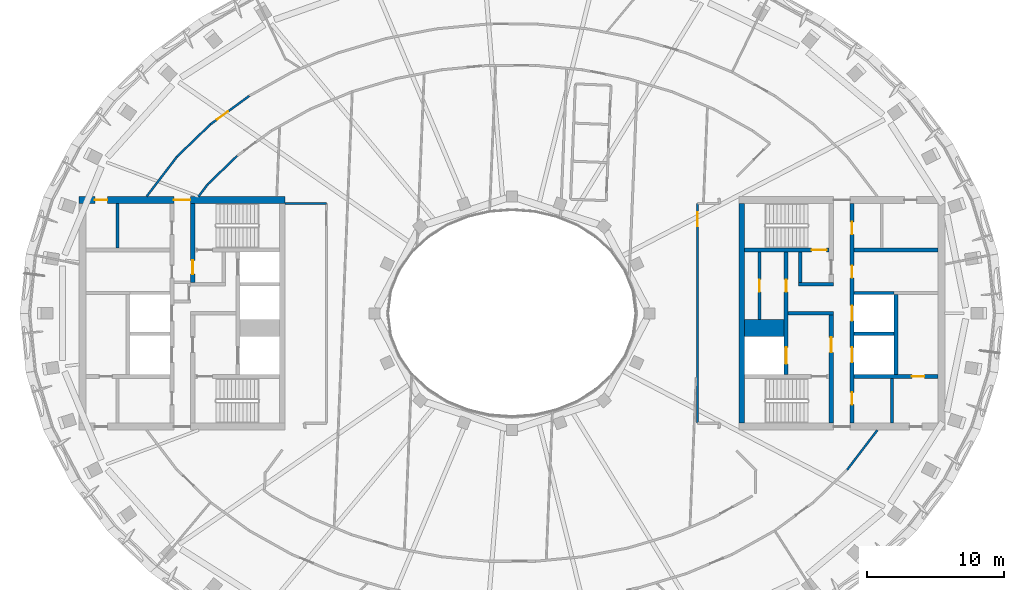
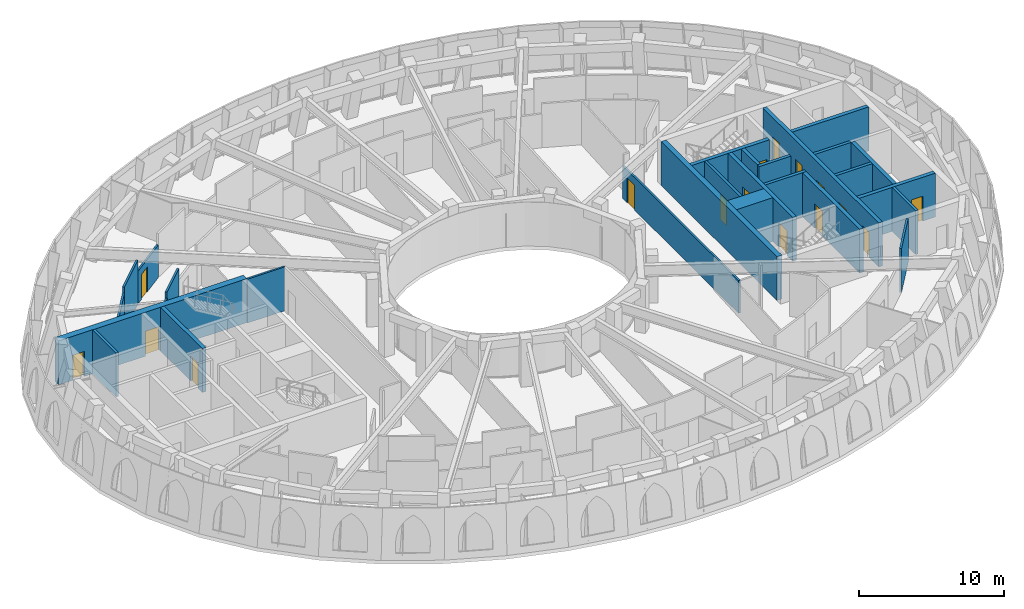
# One storey, part 5 of 14: 27 walls, 16 doors, 16 openings.
"""IFC4 building model written with IfcOpenShell, lengths in metres."""

from ifc_helpers import new_model, si_unit, direction, frame, frame_2d, origin, place, context, subcontext, project, spatial, rectangle, extrude, material, layer, layer_set, type_object, element, fill, save


model = new_model("IFC4")

# Units and contexts
model_context = context("Model", 3, precision=1e-05, world=origin(), true_north=direction((0.0, 1.0)))
body_context = subcontext(model_context, "Body", "Model", "MODEL_VIEW")
ifc_project = project(units=[si_unit("LENGTHUNIT", "METRE"), si_unit("AREAUNIT", "SQUARE_METRE"), si_unit("VOLUMEUNIT", "CUBIC_METRE"), si_unit("PLANEANGLEUNIT", "RADIAN"), si_unit("MASSUNIT", "GRAM", prefix="KILO")], contexts=[model_context])

# Site, building, storey
site_placement = place(None, origin())
site = spatial("IfcSite", under=ifc_project, at=site_placement, CompositionType="ELEMENT")
building_placement = place(site_placement, origin())
building = spatial("IfcBuilding", under=site, at=building_placement, Name="Noorbagh Ring Tower", CompositionType="ELEMENT")
storey_placement = place(building_placement, frame((0.0, 0.0, 335.0)))
storey = spatial("IfcBuildingStorey", under=building, at=storey_placement, Name="L73", CompositionType="ELEMENT", Elevation=335.0)

# Wall
ifc_material_1 = material(Name="Gypsum board on steel studs", Category="steel")
ifc_layer_1 = layer(ifc_material_1, 0.199951171875)
ifc_layer_set_1 = layer_set([ifc_layer_1], Name="Gypsum board on steel studs")
wall_type_1 = type_object("IfcWallType", Name="CORE-PARTITION-200", PredefinedType="PARTITIONING", material=ifc_layer_set_1)
wall_1_placement = place(storey_placement, frame((-28.699951171875, 4.75, 0.0), z_axis=(0.0, 0.0, 1.0), x_axis=(0.0, 1.0, 0.0)))
element("IfcWall", 1, at=wall_1_placement, inside=storey, type_object=wall_type_1, Name="Core partition W", PredefinedType="PARTITIONING", context=body_context, shape_type="SweptSolid", body=[
    extrude(rectangle(XDim=3.25, YDim=0.199951171875, at=frame_2d((1.625, 0.0))), origin(), (0.0, 0.0, 1.0), 3.699951171875),
])

# Wall, opening, door
wall_2_placement = place(storey_placement, frame((18.0, -0.449951171875, 0.0), z_axis=(0.0, 0.0, 1.0), x_axis=(0.0, 1.0, 0.0)))
wall_2 = element("IfcWall", 2, at=wall_2_placement, inside=storey, type_object=wall_type_1, Name="Core partition E", PredefinedType="PARTITIONING", context=body_context, shape_type="SweptSolid", body=[
    extrude(rectangle(XDim=4.89990234375, YDim=0.199951171875, at=frame_2d((2.449951171875, 0.0))), origin(), (0.0, 0.0, 1.0), 3.699951171875),
])
opening_1_placement = place(wall_2_placement, frame((2.0, 0.0, 0.0)))
opening_1 = element("IfcOpeningElement", 3, at=opening_1_placement, cuts=wall_2, Name="Opening L73-CE11", PredefinedType="OPENING", context=body_context, shape_type="SweptSolid", body=[
    extrude(rectangle(XDim=0.89990234375, YDim=2.10009765625, at=frame_2d((0.449951171875, 1.050048828125))), frame((0.0, 0.10986328125, 0.0), z_axis=(0.0, -1.0, 0.0), x_axis=(1.0, 0.0, 0.0)), (0.0, 0.0, 1.0), 0.219970703125),
])
ifc_material_2 = material(Name="Steel door leaf", Category="steel")
door_type_1 = type_object("IfcDoorType", Name="CORE-DOOR-DROOM", OperationType="SINGLE_SWING_LEFT", PredefinedType="DOOR", material=ifc_material_2)
door_1_placement = place(opening_1_placement, origin())
door_1 = element("IfcDoor", 4, at=door_1_placement, inside=storey, type_object=door_type_1, Name="Core room door L73-CE11", OperationType="SINGLE_SWING_RIGHT", OverallHeight=2.10009765625, OverallWidth=0.89990234375, PredefinedType="DOOR", context=body_context, shape_type="SweptSolid", body=[
    extrude(rectangle(XDim=0.89990234375, YDim=2.10009765625, at=frame_2d((0.449951171875, 1.050048828125))), frame((0.0, 0.02490234375, 0.0), z_axis=(0.0, -1.0, 0.0), x_axis=(1.0, 0.0, 0.0)), (0.0, 0.0, 1.0), 0.050048828125),
])
fill(opening_1, door_1)

# Walls
wall_3_placement = place(storey_placement, frame((27.64990234375, -8.0, 0.0), z_axis=(0.0, 0.0, 1.0), x_axis=(0.0, 1.0, 0.0)))
element("IfcWall", 5, at=wall_3_placement, inside=storey, type_object=wall_type_1, Name="Core partition E", PredefinedType="PARTITIONING", context=body_context, shape_type="SweptSolid", body=[
    extrude(rectangle(XDim=3.25, YDim=0.199951171875, at=frame_2d((1.625, 0.0))), origin(), (0.0, 0.0, 1.0), 3.699951171875),
])
ifc_material_3 = material(Name="Concrete C50/60", Category="concrete")
ifc_layer_2 = layer(ifc_material_3, 1.25)
ifc_layer_set_2 = layer_set([ifc_layer_2], Name="Concrete C50/60")
wall_type_2 = type_object("IfcWallType", Name="CORE-WALL-1250-C50-60-EI120", PredefinedType="SHEAR", material=ifc_layer_set_2)
wall_4_placement = place(storey_placement, frame((16.89990234375, -1.074951171875, 0.0), z_axis=(0.0, 0.0, 1.0), x_axis=(1.0, 0.0, 0.0)))
element("IfcWall", 6, at=wall_4_placement, inside=storey, type_object=wall_type_2, Name="Core wall E", PredefinedType="SHEAR", context=body_context, shape_type="SweptSolid", body=[
    extrude(rectangle(XDim=2.900146484375, YDim=1.25, at=frame_2d((1.4501953125, 0.0))), origin(), (0.0, 0.0, 1.0), 3.699951171875),
])
ifc_material_4 = material(Name="Concrete C50/60", Category="concrete")
ifc_layer_3 = layer(ifc_material_4, 0.25)
ifc_layer_set_3 = layer_set([ifc_layer_3], Name="Concrete C50/60")
wall_type_3 = type_object("IfcWallType", Name="CORE-WALL-250-C50-60-EI120", PredefinedType="SHEAR", material=ifc_layer_set_3)
for number, where, z_axis, x_axis, name in (
    (7, (24.89990234375, -1.47509765625, 0.0), (0.0, 0.0, 1.0), (1.0, 0.0, 0.0), "Core wall E"),
    (8, (24.89990234375, 1.47509765625, 0.0), (0.0, 0.0, 1.0), (1.0, 0.0, 0.0), "Core wall E"),
):
    element("IfcWall", number, at=place(storey_placement, frame(where, z_axis=z_axis, x_axis=x_axis)), inside=storey, type_object=wall_type_3, Name=name, PredefinedType="SHEAR", context=body_context, shape_type="SweptSolid", body=[
        extrude(rectangle(XDim=2.900146484375, YDim=0.25, at=frame_2d((1.4501953125, 0.0))), origin(), (0.0, 0.0, 1.0), 3.699951171875),
    ])
ifc_material_5 = material(Name="Concrete C50/60", Category="concrete")
ifc_layer_4 = layer(ifc_material_5, 0.25)
ifc_layer_set_4 = layer_set([ifc_layer_4], Name="Concrete C50/60")
wall_type_4 = type_object("IfcWallType", Name="CORE-WALL-250-C50-60-EI240", PredefinedType="SHEAR", material=ifc_layer_set_4)
wall_5_placement = place(storey_placement, frame((20.10009765625, 0.0, 0.0), z_axis=(0.0, 0.0, 1.0), x_axis=(1.0, 0.0, 0.0)))
element("IfcWall", 9, at=wall_5_placement, inside=storey, type_object=wall_type_4, Name="Core wall E", PredefinedType="SHEAR", context=body_context, shape_type="SweptSolid", body=[
    extrude(rectangle(XDim=3.27978515625, YDim=0.25, at=frame_2d((1.639892578125, 0.0))), origin(), (0.0, 0.0, 1.0), 3.699951171875),
])
wall_6_placement = place(storey_placement, frame((20.85009765625, 2.125, 0.0), z_axis=(0.0, 0.0, 1.0), x_axis=(1.0, 0.0, 0.0)))
element("IfcWall", 10, at=wall_6_placement, inside=storey, type_object=wall_type_4, Name="Core wall E", PredefinedType="SHEAR", context=body_context, shape_type="SweptSolid", body=[
    extrude(rectangle(XDim=2.52978515625, YDim=0.25, at=frame_2d((1.264892578125, 0.0))), origin(), (0.0, 0.0, 1.0), 3.699951171875),
])
wall_7_placement = place(storey_placement, frame((20.97509765625, 2.25, 0.0), z_axis=(0.0, 0.0, 1.0), x_axis=(0.0, 1.0, 0.0)))
element("IfcWall", 11, at=wall_7_placement, inside=storey, type_object=wall_type_4, Name="Core wall E", PredefinedType="SHEAR", context=body_context, shape_type="SweptSolid", body=[
    extrude(rectangle(XDim=2.199951171875, YDim=0.25, at=frame_2d((1.10009765625, 0.0))), origin(), (0.0, 0.0, 1.0), 3.699951171875),
])
ifc_material_6 = material(Name="Concrete C50/60", Category="concrete")
ifc_layer_5 = layer(ifc_material_6, 0.300048828125)
ifc_layer_set_5 = layer_set([ifc_layer_5], Name="Concrete C50/60")
wall_type_5 = type_object("IfcWallType", Name="CORE-WALL-300-C50-60-EI120", PredefinedType="SHEAR", material=ifc_layer_set_5)
wall_8_placement = place(storey_placement, frame((27.949951171875, -4.449951171875, 0.0), z_axis=(0.0, 0.0, 1.0), x_axis=(0.0, 1.0, 0.0)))
element("IfcWall", 12, at=wall_8_placement, inside=storey, type_object=wall_type_5, Name="Core wall E", PredefinedType="SHEAR", context=body_context, shape_type="SweptSolid", body=[
    extrude(rectangle(XDim=5.800048828125, YDim=0.300048828125, at=frame_2d((2.89990234375, 0.0))), origin(), (0.0, 0.0, 1.0), 3.699951171875),
])

# Wall, openings, doors
wall_9_placement = place(storey_placement, frame((19.949951171875, -4.449951171875, 0.0), z_axis=(0.0, 0.0, 1.0), x_axis=(0.0, 1.0, 0.0)))
wall_9 = element("IfcWall", 13, at=wall_9_placement, inside=storey, type_object=wall_type_5, Name="Core wall E", PredefinedType="SHEAR", context=body_context, shape_type="SweptSolid", body=[
    extrude(rectangle(XDim=8.89990234375, YDim=0.300048828125, at=frame_2d((4.449951171875, 0.0))), origin(), (0.0, 0.0, 1.0), 3.699951171875),
])
opening_2_placement = place(wall_9_placement, frame((0.77490234375, 0.0, 0.0)))
opening_2 = element("IfcOpeningElement", 14, at=opening_2_placement, cuts=wall_9, Name="Opening L73-CE01", PredefinedType="OPENING", context=body_context, shape_type="SweptSolid", body=[
    extrude(rectangle(XDim=1.199951171875, YDim=2.10009765625, at=frame_2d((0.60009765625, 1.050048828125))), frame((0.0, 0.16015625, 0.0), z_axis=(0.0, -1.0, 0.0), x_axis=(1.0, 0.0, 0.0)), (0.0, 0.0, 1.0), 0.320068359375),
])
opening_3_placement = place(wall_9_placement, frame((6.0, 0.0, 0.0)))
opening_3 = element("IfcOpeningElement", 15, at=opening_3_placement, cuts=wall_9, Name="Opening L73-CE10", PredefinedType="OPENING", context=body_context, shape_type="SweptSolid", body=[
    extrude(rectangle(XDim=0.89990234375, YDim=2.10009765625, at=frame_2d((0.449951171875, 1.050048828125))), frame((0.0, 0.16015625, 0.0), z_axis=(0.0, -1.0, 0.0), x_axis=(1.0, 0.0, 0.0)), (0.0, 0.0, 1.0), 0.320068359375),
])
door_2_placement = place(opening_3_placement, origin())
door_2 = element("IfcDoor", 16, at=door_2_placement, inside=storey, type_object=door_type_1, Name="Core room door L73-CE10", OperationType="SINGLE_SWING_RIGHT", OverallHeight=2.10009765625, OverallWidth=0.89990234375, PredefinedType="DOOR", context=body_context, shape_type="SweptSolid", body=[
    extrude(rectangle(XDim=0.89990234375, YDim=2.10009765625, at=frame_2d((0.449951171875, 1.050048828125))), frame((0.0, 0.02490234375, 0.0), z_axis=(0.0, -1.0, 0.0), x_axis=(1.0, 0.0, 0.0)), (0.0, 0.0, 1.0), 0.050048828125),
])
fill(opening_3, door_2)
ifc_material_7 = material(Name="Steel door leaf", Category="steel")
door_type_2 = type_object("IfcDoorType", Name="CORE-DOOR-LDW", OperationType="DOUBLE_DOOR_SLIDING", PredefinedType="DOOR", material=ifc_material_7)
door_3_placement = place(opening_2_placement, origin())
door_3 = element("IfcDoor", 17, at=door_3_placement, inside=storey, type_object=door_type_2, Name="Landing door FF2 L73-CE01", OperationType="DOUBLE_DOOR_SLIDING", OverallHeight=2.10009765625, OverallWidth=1.199951171875, PredefinedType="DOOR", context=body_context, shape_type="SweptSolid", body=[
    extrude(rectangle(XDim=1.199951171875, YDim=2.10009765625, at=frame_2d((0.60009765625, 1.050048828125))), frame((0.0, 0.02490234375, 0.0), z_axis=(0.0, -1.0, 0.0), x_axis=(1.0, 0.0, 0.0)), (0.0, 0.0, 1.0), 0.050048828125),
])
fill(opening_2, door_3)

wall_10_placement = place(storey_placement, frame((24.75, -8.0, 0.0), z_axis=(0.0, 0.0, 1.0), x_axis=(0.0, 1.0, 0.0)))
wall_10 = element("IfcWall", 18, at=wall_10_placement, inside=storey, type_object=wall_type_5, Name="Core wall E", PredefinedType="SHEAR", context=body_context, shape_type="SweptSolid", body=[
    extrude(rectangle(XDim=16.0, YDim=0.300048828125, at=frame_2d((8.0, 0.0))), origin(), (0.0, 0.0, 1.0), 3.699951171875),
])
opening_4_placement = place(wall_10_placement, frame((4.425048828125, 0.0, 0.0)))
opening_4 = element("IfcOpeningElement", 19, at=opening_4_placement, cuts=wall_10, Name="Opening L73-CE02", PredefinedType="OPENING", context=body_context, shape_type="SweptSolid", body=[
    extrude(rectangle(XDim=1.10009765625, YDim=2.10009765625, at=frame_2d((0.550048828125, 1.050048828125))), frame((0.0, 0.16015625, 0.0), z_axis=(0.0, -1.0, 0.0), x_axis=(1.0, 0.0, 0.0)), (0.0, 0.0, 1.0), 0.320068359375),
])
opening_5_placement = place(wall_10_placement, frame((7.449951171875, 0.0, 0.0)))
opening_5 = element("IfcOpeningElement", 20, at=opening_5_placement, cuts=wall_10, Name="Opening L73-CE03", PredefinedType="OPENING", context=body_context, shape_type="SweptSolid", body=[
    extrude(rectangle(XDim=1.10009765625, YDim=2.10009765625, at=frame_2d((0.550048828125, 1.050048828125))), frame((0.0, 0.16015625, 0.0), z_axis=(0.0, -1.0, 0.0), x_axis=(1.0, 0.0, 0.0)), (0.0, 0.0, 1.0), 0.320068359375),
])
opening_6_placement = place(wall_10_placement, frame((10.574951171875, 0.0, 0.0)))
opening_6 = element("IfcOpeningElement", 21, at=opening_6_placement, cuts=wall_10, Name="Opening L73-CE12", PredefinedType="OPENING", context=body_context, shape_type="SweptSolid", body=[
    extrude(rectangle(XDim=0.89990234375, YDim=2.10009765625, at=frame_2d((0.449951171875, 1.050048828125))), frame((0.0, 0.16015625, 0.0), z_axis=(0.0, -1.0, 0.0), x_axis=(1.0, 0.0, 0.0)), (0.0, 0.0, 1.0), 0.320068359375),
])
opening_7_placement = place(wall_10_placement, frame((13.75, 0.0, 0.0)))
opening_7 = element("IfcOpeningElement", 22, at=opening_7_placement, cuts=wall_10, Name="Opening L73-CE13", PredefinedType="OPENING", context=body_context, shape_type="SweptSolid", body=[
    extrude(rectangle(XDim=0.89990234375, YDim=2.10009765625, at=frame_2d((0.449951171875, 1.050048828125))), frame((0.0, 0.16015625, 0.0), z_axis=(0.0, -1.0, 0.0), x_axis=(1.0, 0.0, 0.0)), (0.0, 0.0, 1.0), 0.320068359375),
])
opening_8_placement = place(wall_10_placement, frame((1.35009765625, 0.0, 0.0)))
opening_8 = element("IfcOpeningElement", 23, at=opening_8_placement, cuts=wall_10, Name="Opening L73-CE15", PredefinedType="OPENING", context=body_context, shape_type="SweptSolid", body=[
    extrude(rectangle(XDim=0.89990234375, YDim=2.10009765625, at=frame_2d((0.449951171875, 1.050048828125))), frame((0.0, 0.16015625, 0.0), z_axis=(0.0, -1.0, 0.0), x_axis=(1.0, 0.0, 0.0)), (0.0, 0.0, 1.0), 0.320068359375),
])
door_4_placement = place(opening_6_placement, origin())
door_4 = element("IfcDoor", 24, at=door_4_placement, inside=storey, type_object=door_type_1, Name="Core room door L73-CE12", OperationType="SINGLE_SWING_LEFT", OverallHeight=2.10009765625, OverallWidth=0.89990234375, PredefinedType="DOOR", context=body_context, shape_type="SweptSolid", body=[
    extrude(rectangle(XDim=0.89990234375, YDim=2.10009765625, at=frame_2d((0.449951171875, 1.050048828125))), frame((0.0, 0.02490234375, 0.0), z_axis=(0.0, -1.0, 0.0), x_axis=(1.0, 0.0, 0.0)), (0.0, 0.0, 1.0), 0.050048828125),
])
fill(opening_6, door_4)
door_5_placement = place(opening_7_placement, origin())
door_5 = element("IfcDoor", 25, at=door_5_placement, inside=storey, type_object=door_type_1, Name="Core room door L73-CE13", OperationType="SINGLE_SWING_LEFT", OverallHeight=2.10009765625, OverallWidth=0.89990234375, PredefinedType="DOOR", context=body_context, shape_type="SweptSolid", body=[
    extrude(rectangle(XDim=0.89990234375, YDim=2.10009765625, at=frame_2d((0.449951171875, 1.050048828125))), frame((0.0, 0.02490234375, 0.0), z_axis=(0.0, -1.0, 0.0), x_axis=(1.0, 0.0, 0.0)), (0.0, 0.0, 1.0), 0.050048828125),
])
fill(opening_7, door_5)
door_6_placement = place(opening_8_placement, origin())
door_6 = element("IfcDoor", 26, at=door_6_placement, inside=storey, type_object=door_type_1, Name="Core room door L73-CE15", OperationType="SINGLE_SWING_RIGHT", OverallHeight=2.10009765625, OverallWidth=0.89990234375, PredefinedType="DOOR", context=body_context, shape_type="SweptSolid", body=[
    extrude(rectangle(XDim=0.89990234375, YDim=2.10009765625, at=frame_2d((0.449951171875, 1.050048828125))), frame((0.0, 0.02490234375, 0.0), z_axis=(0.0, -1.0, 0.0), x_axis=(1.0, 0.0, 0.0)), (0.0, 0.0, 1.0), 0.050048828125),
])
fill(opening_8, door_6)
ifc_material_8 = material(Name="Steel door leaf", Category="steel")
door_type_3 = type_object("IfcDoorType", Name="CORE-DOOR-LD", OperationType="DOUBLE_DOOR_SLIDING", PredefinedType="DOOR", material=ifc_material_8)
door_7_placement = place(opening_4_placement, origin())
door_7 = element("IfcDoor", 27, at=door_7_placement, inside=storey, type_object=door_type_3, Name="Landing door HR12 L73-CE02", OperationType="DOUBLE_DOOR_SLIDING", OverallHeight=2.10009765625, OverallWidth=1.10009765625, PredefinedType="DOOR", context=body_context, shape_type="SweptSolid", body=[
    extrude(rectangle(XDim=1.10009765625, YDim=2.10009765625, at=frame_2d((0.550048828125, 1.050048828125))), frame((0.0, 0.02490234375, 0.0), z_axis=(0.0, -1.0, 0.0), x_axis=(1.0, 0.0, 0.0)), (0.0, 0.0, 1.0), 0.050048828125),
])
fill(opening_4, door_7)
door_8_placement = place(opening_5_placement, origin())
door_8 = element("IfcDoor", 28, at=door_8_placement, inside=storey, type_object=door_type_3, Name="Landing door HR13 L73-CE03", OperationType="DOUBLE_DOOR_SLIDING", OverallHeight=2.10009765625, OverallWidth=1.10009765625, PredefinedType="DOOR", context=body_context, shape_type="SweptSolid", body=[
    extrude(rectangle(XDim=1.10009765625, YDim=2.10009765625, at=frame_2d((0.550048828125, 1.050048828125))), frame((0.0, 0.02490234375, 0.0), z_axis=(0.0, -1.0, 0.0), x_axis=(1.0, 0.0, 0.0)), (0.0, 0.0, 1.0), 0.050048828125),
])
fill(opening_5, door_8)

# Wall, opening, door
ifc_material_9 = material(Name="Concrete C50/60", Category="concrete")
ifc_layer_6 = layer(ifc_material_9, 0.300048828125)
ifc_layer_set_6 = layer_set([ifc_layer_6], Name="Concrete C50/60")
wall_type_6 = type_object("IfcWallType", Name="CORE-WALL-300-C50-60-EI240", PredefinedType="SHEAR", material=ifc_layer_set_6)
wall_11_placement = place(storey_placement, frame((-23.22998046875, 2.25, 0.0), z_axis=(0.0, 0.0, 1.0), x_axis=(0.0, 1.0, 0.0)))
wall_11 = element("IfcWall", 29, at=wall_11_placement, inside=storey, type_object=wall_type_6, Name="Core wall W", PredefinedType="SHEAR", context=body_context, shape_type="SweptSolid", body=[
    extrude(rectangle(XDim=5.75, YDim=0.300048828125, at=frame_2d((2.875, 0.0))), origin(), (0.0, 0.0, 1.0), 3.699951171875),
])
opening_9_placement = place(wall_11_placement, frame((0.60009765625, 0.0, 0.0)))
opening_9 = element("IfcOpeningElement", 30, at=opening_9_placement, cuts=wall_11, Name="Opening L73-CW08", PredefinedType="OPENING", context=body_context, shape_type="SweptSolid", body=[
    extrude(rectangle(XDim=1.0, YDim=2.10009765625, at=frame_2d((0.5, 1.050048828125))), frame((0.0, 0.16015625, 0.0), z_axis=(0.0, -1.0, 0.0), x_axis=(1.0, 0.0, 0.0)), (0.0, 0.0, 1.0), 0.320068359375),
])
ifc_material_10 = material(Name="Steel door leaf", Category="steel")
door_type_4 = type_object("IfcDoorType", Name="CORE-DOOR-DVEST", OperationType="SINGLE_SWING_LEFT", PredefinedType="DOOR", material=ifc_material_10)
door_9_placement = place(opening_9_placement, origin())
door_9 = element("IfcDoor", 31, at=door_9_placement, inside=storey, type_object=door_type_4, Name="Stair vestibule door L73-CW08", OperationType="SINGLE_SWING_LEFT", OverallHeight=2.10009765625, OverallWidth=1.0, PredefinedType="DOOR", context=body_context, shape_type="SweptSolid", body=[
    extrude(rectangle(XDim=1.0, YDim=2.10009765625, at=frame_2d((0.5, 1.050048828125))), frame((0.0, 0.02490234375, 0.0), z_axis=(0.0, -1.0, 0.0), x_axis=(1.0, 0.0, 0.0)), (0.0, 0.0, 1.0), 0.050048828125),
])
fill(opening_9, door_9)

# Wall
wall_12_placement = place(storey_placement, frame((24.89990234375, 4.60009765625, 0.0), z_axis=(0.0, 0.0, 1.0), x_axis=(1.0, 0.0, 0.0)))
element("IfcWall", 32, at=wall_12_placement, inside=storey, type_object=wall_type_6, Name="Core wall E", PredefinedType="SHEAR", context=body_context, shape_type="SweptSolid", body=[
    extrude(rectangle(XDim=6.10009765625, YDim=0.300048828125, at=frame_2d((3.050048828125, 0.0))), origin(), (0.0, 0.0, 1.0), 3.699951171875),
])

# Wall, opening, door
wall_13_placement = place(storey_placement, frame((24.89990234375, -4.60009765625, 0.0), z_axis=(0.0, 0.0, 1.0), x_axis=(1.0, 0.0, 0.0)))
wall_13 = element("IfcWall", 33, at=wall_13_placement, inside=storey, type_object=wall_type_6, Name="Core wall E", PredefinedType="SHEAR", context=body_context, shape_type="SweptSolid", body=[
    extrude(rectangle(XDim=6.10009765625, YDim=0.300048828125, at=frame_2d((3.050048828125, 0.0))), origin(), (0.0, 0.0, 1.0), 3.699951171875),
])
opening_10_placement = place(wall_13_placement, frame((4.199951171875, 0.0, 0.0)))
opening_10 = element("IfcOpeningElement", 34, at=opening_10_placement, cuts=wall_13, Name="Opening L73-CE17", PredefinedType="OPENING", context=body_context, shape_type="SweptSolid", body=[
    extrude(rectangle(XDim=0.89990234375, YDim=2.10009765625, at=frame_2d((0.449951171875, 1.050048828125))), frame((0.0, 0.16015625, 0.0), z_axis=(0.0, -1.0, 0.0), x_axis=(1.0, 0.0, 0.0)), (0.0, 0.0, 1.0), 0.320068359375),
])
door_10_placement = place(opening_10_placement, origin())
door_10 = element("IfcDoor", 35, at=door_10_placement, inside=storey, type_object=door_type_1, Name="Core room door L73-CE17", OperationType="SINGLE_SWING_LEFT", OverallHeight=2.10009765625, OverallWidth=0.89990234375, PredefinedType="DOOR", context=body_context, shape_type="SweptSolid", body=[
    extrude(rectangle(XDim=0.89990234375, YDim=2.10009765625, at=frame_2d((0.449951171875, 1.050048828125))), frame((0.0, 0.02490234375, 0.0), z_axis=(0.0, -1.0, 0.0), x_axis=(1.0, 0.0, 0.0)), (0.0, 0.0, 1.0), 0.050048828125),
])
fill(opening_10, door_10)

wall_14_placement = place(storey_placement, frame((23.22998046875, -8.0, 0.0), z_axis=(0.0, 0.0, 1.0), x_axis=(0.0, 1.0, 0.0)))
wall_14 = element("IfcWall", 36, at=wall_14_placement, inside=storey, type_object=wall_type_6, Name="Core wall E", PredefinedType="SHEAR", context=body_context, shape_type="SweptSolid", body=[
    extrude(rectangle(XDim=7.875, YDim=0.300048828125, at=frame_2d((3.9375, 0.0))), origin(), (0.0, 0.0, 1.0), 3.699951171875),
])
opening_11_placement = place(wall_14_placement, frame((5.14990234375, 0.0, 0.0)))
opening_11 = element("IfcOpeningElement", 37, at=opening_11_placement, cuts=wall_14, Name="Opening L73-CE06", PredefinedType="OPENING", context=body_context, shape_type="SweptSolid", body=[
    extrude(rectangle(XDim=1.10009765625, YDim=2.10009765625, at=frame_2d((0.550048828125, 1.050048828125))), frame((0.0, 0.16015625, 0.0), z_axis=(0.0, -1.0, 0.0), x_axis=(1.0, 0.0, 0.0)), (0.0, 0.0, 1.0), 0.320068359375),
])
ifc_material_11 = material(Name="Steel door leaf", Category="steel")
door_type_5 = type_object("IfcDoorType", Name="CORE-DOOR-DFF", OperationType="SINGLE_SWING_LEFT", PredefinedType="DOOR", material=ifc_material_11)
door_11_placement = place(opening_11_placement, origin())
door_11 = element("IfcDoor", 38, at=door_11_placement, inside=storey, type_object=door_type_5, Name="Firefighting lobby door L73-CE06", OperationType="SINGLE_SWING_RIGHT", OverallHeight=2.10009765625, OverallWidth=1.10009765625, PredefinedType="DOOR", context=body_context, shape_type="SweptSolid", body=[
    extrude(rectangle(XDim=1.10009765625, YDim=2.10009765625, at=frame_2d((0.550048828125, 1.050048828125))), frame((0.0, 0.02490234375, 0.0), z_axis=(0.0, -1.0, 0.0), x_axis=(1.0, 0.0, 0.0)), (0.0, 0.0, 1.0), 0.050048828125),
])
fill(opening_11, door_11)

wall_15_placement = place(storey_placement, frame((16.89990234375, 4.60009765625, 0.0), z_axis=(0.0, 0.0, 1.0), x_axis=(1.0, 0.0, 0.0)))
wall_15 = element("IfcWall", 39, at=wall_15_placement, inside=storey, type_object=wall_type_6, Name="Core wall E", PredefinedType="SHEAR", context=body_context, shape_type="SweptSolid", body=[
    extrude(rectangle(XDim=6.18017578125, YDim=0.300048828125, at=frame_2d((3.090087890625, 0.0))), origin(), (0.0, 0.0, 1.0), 3.699951171875),
])
opening_12_placement = place(wall_15_placement, frame((4.89990234375, 0.0, 0.0)))
opening_12 = element("IfcOpeningElement", 40, at=opening_12_placement, cuts=wall_15, Name="Opening L73-CE04", PredefinedType="OPENING", context=body_context, shape_type="SweptSolid", body=[
    extrude(rectangle(XDim=1.10009765625, YDim=2.10009765625, at=frame_2d((0.550048828125, 1.050048828125))), frame((0.0, 0.16015625, 0.0), z_axis=(0.0, -1.0, 0.0), x_axis=(1.0, 0.0, 0.0)), (0.0, 0.0, 1.0), 0.320068359375),
])
ifc_material_12 = material(Name="Steel door leaf", Category="steel")
door_type_6 = type_object("IfcDoorType", Name="CORE-DOOR-DSTAIR", OperationType="SINGLE_SWING_LEFT", PredefinedType="DOOR", material=ifc_material_12)
door_12_placement = place(opening_12_placement, origin())
door_12 = element("IfcDoor", 41, at=door_12_placement, inside=storey, type_object=door_type_6, Name="Stair door ST3 L73-CE04", OperationType="SINGLE_SWING_LEFT", OverallHeight=2.10009765625, OverallWidth=1.10009765625, PredefinedType="DOOR", context=body_context, shape_type="SweptSolid", body=[
    extrude(rectangle(XDim=1.10009765625, YDim=2.10009765625, at=frame_2d((0.550048828125, 1.050048828125))), frame((0.0, 0.02490234375, 0.0), z_axis=(0.0, -1.0, 0.0), x_axis=(1.0, 0.0, 0.0)), (0.0, 0.0, 1.0), 0.050048828125),
])
fill(opening_12, door_12)

# Wall
ifc_material_13 = material(Name="Concrete C50/60", Category="concrete")
ifc_layer_7 = layer(ifc_material_13, 0.39990234375)
ifc_layer_set_7 = layer_set([ifc_layer_7], Name="Concrete C50/60")
wall_type_7 = type_object("IfcWallType", Name="CORE-WALL-400-C50-60-EI240", PredefinedType="SHEAR", material=ifc_layer_set_7)
wall_16_placement = place(storey_placement, frame((16.699951171875, -8.0, 0.0), z_axis=(0.0, 0.0, 1.0), x_axis=(0.0, 1.0, 0.0)))
element("IfcWall", 42, at=wall_16_placement, inside=storey, type_object=wall_type_7, Name="Core wall E", PredefinedType="SHEAR", context=body_context, shape_type="SweptSolid", body=[
    extrude(rectangle(XDim=16.0, YDim=0.39990234375, at=frame_2d((8.0, 0.0))), origin(), (0.0, 0.0, 1.0), 3.699951171875),
])

# Wall, openings, doors
ifc_material_14 = material(Name="Concrete C50/60", Category="concrete")
ifc_layer_8 = layer(ifc_material_14, 0.5)
ifc_layer_set_8 = layer_set([ifc_layer_8], Name="Concrete C50/60")
wall_type_8 = type_object("IfcWallType", Name="CORE-WALL-500-C50-60-EI240", PredefinedType="SHEAR", material=ifc_layer_set_8)
wall_17_placement = place(storey_placement, frame((-16.5, 8.25, 0.0), z_axis=(0.0, 0.0, 1.0), x_axis=(-1.0, 0.0, 0.0)))
wall_17 = element("IfcWall", 43, at=wall_17_placement, inside=storey, type_object=wall_type_8, Name="Core wall W", PredefinedType="SHEAR", context=body_context, shape_type="SweptSolid", body=[
    extrude(rectangle(XDim=15.0, YDim=0.5, at=frame_2d((7.5, 0.0))), origin(), (0.0, 0.0, 1.0), 3.699951171875),
])
opening_13_placement = place(wall_17_placement, frame((6.89990234375, 0.0, 0.0)))
opening_13 = element("IfcOpeningElement", 44, at=opening_13_placement, cuts=wall_17, Name="Opening L73-CW09", PredefinedType="OPENING", context=body_context, shape_type="SweptSolid", body=[
    extrude(rectangle(XDim=1.199951171875, YDim=2.10009765625, at=frame_2d((0.60009765625, 1.050048828125))), frame((0.0, 0.260009765625, 0.0), z_axis=(0.0, -1.0, 0.0), x_axis=(1.0, 0.0, 0.0)), (0.0, 0.0, 1.0), 0.52001953125),
])
opening_14_placement = place(wall_17_placement, frame((12.949951171875, 0.0, 0.0)))
opening_14 = element("IfcOpeningElement", 45, at=opening_14_placement, cuts=wall_17, Name="Opening L73-CW13", PredefinedType="OPENING", context=body_context, shape_type="SweptSolid", body=[
    extrude(rectangle(XDim=0.89990234375, YDim=2.10009765625, at=frame_2d((0.449951171875, 1.050048828125))), frame((0.0, 0.260009765625, 0.0), z_axis=(0.0, -1.0, 0.0), x_axis=(1.0, 0.0, 0.0)), (0.0, 0.0, 1.0), 0.52001953125),
])
door_13_placement = place(opening_14_placement, origin())
door_13 = element("IfcDoor", 46, at=door_13_placement, inside=storey, type_object=door_type_1, Name="Core room door L73-CW13", OperationType="SINGLE_SWING_RIGHT", OverallHeight=2.10009765625, OverallWidth=0.89990234375, PredefinedType="DOOR", context=body_context, shape_type="SweptSolid", body=[
    extrude(rectangle(XDim=0.89990234375, YDim=2.10009765625, at=frame_2d((0.449951171875, 1.050048828125))), frame((0.0, 0.02490234375, 0.0), z_axis=(0.0, -1.0, 0.0), x_axis=(1.0, 0.0, 0.0)), (0.0, 0.0, 1.0), 0.050048828125),
])
fill(opening_14, door_13)
ifc_material_15 = material(Name="Steel door leaf", Category="steel")
door_type_7 = type_object("IfcDoorType", Name="CORE-DOOR-PORT", OperationType="DOUBLE_DOOR_DOUBLE_SWING", PredefinedType="DOOR", material=ifc_material_15)
door_14_placement = place(opening_13_placement, origin())
door_14 = element("IfcDoor", 47, at=door_14_placement, inside=storey, type_object=door_type_7, Name="Core entrance door L73-CW09", OperationType="DOUBLE_DOOR_DOUBLE_SWING", OverallHeight=2.10009765625, OverallWidth=1.199951171875, PredefinedType="DOOR", context=body_context, shape_type="SweptSolid", body=[
    extrude(rectangle(XDim=1.199951171875, YDim=2.10009765625, at=frame_2d((0.60009765625, 1.050048828125))), frame((0.0, 0.02490234375, 0.0), z_axis=(0.0, -1.0, 0.0), x_axis=(1.0, 0.0, 0.0)), (0.0, 0.0, 1.0), 0.050048828125),
])
fill(opening_13, door_14)

# Walls
ifc_material_16 = material(Name="Gypsum board on steel studs", Category="steel")
ifc_layer_9 = layer(ifc_material_16, 0.14990234375)
ifc_layer_set_9 = layer_set([ifc_layer_9], Name="Gypsum board on steel studs")
wall_type_9 = type_object("IfcWallType", Name="CORRIDOR PARTITION 150 EI 30", PredefinedType="PARTITIONING", material=ifc_layer_set_9)
wall_18_placement = place(storey_placement, frame((-26.5869140625, 8.5, 0.0), z_axis=(0.0, 0.0, 1.0), x_axis=(0.606510838275, 0.795075218489, 0.0)))
element("IfcWall", 48, at=wall_18_placement, inside=storey, type_object=wall_type_9, Name="L73/wall/P03", PredefinedType="PARTITIONING", context=body_context, shape_type="SweptSolid", body=[
    extrude(rectangle(XDim=3.6484375, YDim=0.14990234375, at=frame_2d((1.82421875, 0.0))), origin(), (0.0, 0.0, 1.0), 3.199951171875),
])
wall_19_placement = place(storey_placement, frame((-24.3740234375, 11.40087890625, 0.0), z_axis=(0.0, 0.0, 1.0), x_axis=(0.719511758349, 0.694480258609, 0.0)))
element("IfcWall", 49, at=wall_19_placement, inside=storey, type_object=wall_type_9, Name="L73/wall/P06", PredefinedType="PARTITIONING", context=body_context, shape_type="SweptSolid", body=[
    extrude(rectangle(XDim=3.39404296875, YDim=0.14990234375, at=frame_2d((1.697021484375, 0.0))), origin(), (0.0, 0.0, 1.0), 3.699951171875),
])
wall_20_placement = place(storey_placement, frame((-22.81298828125, 8.5, 0.0), z_axis=(0.0, 0.0, 1.0), x_axis=(0.606264206509, 0.795263297221, 0.0)))
element("IfcWall", 50, at=wall_20_placement, inside=storey, type_object=wall_type_9, Name="L73/wall/P07", PredefinedType="PARTITIONING", context=body_context, shape_type="SweptSolid", body=[
    extrude(rectangle(XDim=1.131591796875, YDim=0.14990234375, at=frame_2d((0.56591796875, 0.0))), origin(), (0.0, 0.0, 1.0), 3.199951171875),
])
wall_21_placement = place(storey_placement, frame((-22.126953125, 9.39990234375, 0.0), z_axis=(0.0, 0.0, 1.0), x_axis=(0.719603068262, 0.694385645119, 0.0)))
element("IfcWall", 51, at=wall_21_placement, inside=storey, type_object=wall_type_9, Name="L73/wall/P08", PredefinedType="PARTITIONING", context=body_context, shape_type="SweptSolid", body=[
    extrude(rectangle(XDim=2.96240234375, YDim=0.14990234375, at=frame_2d((1.481201171875, 0.0))), origin(), (0.0, 0.0, 1.0), 3.699951171875),
])

# Wall, opening, door
wall_22_placement = place(storey_placement, frame((-21.931884765625, 13.758056640625, 0.0), z_axis=(0.0, 0.0, 1.0), x_axis=(0.807088129358, 0.59043098788, 0.0)))
wall_22 = element("IfcWall", 52, at=wall_22_placement, inside=storey, type_object=wall_type_9, Name="L73/wall/P09", PredefinedType="PARTITIONING", context=body_context, shape_type="SweptSolid", body=[
    extrude(rectangle(XDim=3.4853515625, YDim=0.14990234375, at=frame_2d((1.74267578125, 0.0))), origin(), (0.0, 0.0, 1.0), 2.75),
])
opening_15_placement = place(wall_22_placement, frame((0.58544921875, 0.0, 0.0)))
opening_15 = element("IfcOpeningElement", 53, at=opening_15_placement, cuts=wall_22, Name="Opening D1", PredefinedType="OPENING", context=body_context, shape_type="SweptSolid", body=[
    extrude(rectangle(XDim=1.0, YDim=2.10009765625, at=frame_2d((0.5, 1.050048828125))), frame((0.0, 0.0849609375, 0.0), z_axis=(0.0, -1.0, 0.0), x_axis=(1.0, 0.0, 0.0)), (0.0, 0.0, 1.0), 0.169921875),
])
ifc_material_17 = material(Name="Timber, painted", Category="wood")
door_type_8 = type_object("IfcDoorType", Name="DOOR 1000 X 2100 FD30", OperationType="SINGLE_SWING_LEFT", PredefinedType="DOOR", material=ifc_material_17)
door_15_placement = place(opening_15_placement, origin())
door_15 = element("IfcDoor", 54, at=door_15_placement, inside=storey, type_object=door_type_8, Name="L73-D06", OperationType="SINGLE_SWING_RIGHT", OverallHeight=2.10009765625, OverallWidth=1.0, PredefinedType="DOOR", context=body_context, shape_type="SweptSolid", body=[
    extrude(rectangle(XDim=1.0, YDim=2.10009765625, at=frame_2d((0.5, 1.050048828125))), frame((0.0, 0.02490234375, 0.0), z_axis=(0.0, -1.0, 0.0), x_axis=(1.0, 0.0, 0.0)), (0.0, 0.0, 1.0), 0.050048828125),
])
fill(opening_15, door_15)

# Wall
wall_23_placement = place(storey_placement, frame((-16.5, 8.0, 0.0), z_axis=(0.0, 0.0, 1.0), x_axis=(1.0, 0.0, 0.0)))
element("IfcWall", 55, at=wall_23_placement, inside=storey, type_object=wall_type_9, Name="L73/wall/P21", PredefinedType="PARTITIONING", context=body_context, shape_type="SweptSolid", body=[
    extrude(rectangle(XDim=3.0, YDim=0.14990234375, at=frame_2d((1.5, 0.0))), origin(), (0.0, 0.0, 1.0), 3.699951171875),
])

# Wall, opening, door
wall_24_placement = place(storey_placement, frame((13.5, -8.0, 0.0), z_axis=(0.0, 0.0, 1.0), x_axis=(0.0, 1.0, 0.0)))
wall_24 = element("IfcWall", 56, at=wall_24_placement, inside=storey, type_object=wall_type_9, Name="L73/wall/P81", PredefinedType="PARTITIONING", context=body_context, shape_type="SweptSolid", body=[
    extrude(rectangle(XDim=16.0, YDim=0.14990234375, at=frame_2d((8.0, 0.0))), origin(), (0.0, 0.0, 1.0), 2.75),
])
opening_16_placement = place(wall_24_placement, frame((14.35009765625, 0.0, 0.0)))
opening_16 = element("IfcOpeningElement", 57, at=opening_16_placement, cuts=wall_24, Name="Opening D1", PredefinedType="OPENING", context=body_context, shape_type="SweptSolid", body=[
    extrude(rectangle(XDim=1.0, YDim=2.10009765625, at=frame_2d((0.5, 1.050048828125))), frame((0.0, 0.0849609375, 0.0), z_axis=(0.0, -1.0, 0.0), x_axis=(1.0, 0.0, 0.0)), (0.0, 0.0, 1.0), 0.169921875),
])
door_16_placement = place(opening_16_placement, origin())
door_16 = element("IfcDoor", 58, at=door_16_placement, inside=storey, type_object=door_type_8, Name="L73-D21", OperationType="SINGLE_SWING_LEFT", OverallHeight=2.10009765625, OverallWidth=1.0, PredefinedType="DOOR", context=body_context, shape_type="SweptSolid", body=[
    extrude(rectangle(XDim=1.0, YDim=2.10009765625, at=frame_2d((0.5, 1.050048828125))), frame((0.0, 0.02490234375, 0.0), z_axis=(0.0, -1.0, 0.0), x_axis=(1.0, 0.0, 0.0)), (0.0, 0.0, 1.0), 0.050048828125),
])
fill(opening_16, door_16)

# Wall
wall_25_placement = place(storey_placement, frame((24.3740234375, -11.40087890625, 0.0), z_axis=(0.0, 0.0, 1.0), x_axis=(0.606510838275, 0.795075218489, 0.0)))
element("IfcWall", 59, at=wall_25_placement, inside=storey, type_object=wall_type_9, Name="L73/wall/P102", PredefinedType="PARTITIONING", context=body_context, shape_type="SweptSolid", body=[
    extrude(rectangle(XDim=3.6484375, YDim=0.14990234375, at=frame_2d((1.82421875, 0.0))), origin(), (0.0, 0.0, 1.0), 3.699951171875),
])

save(model, "model.ifc")
